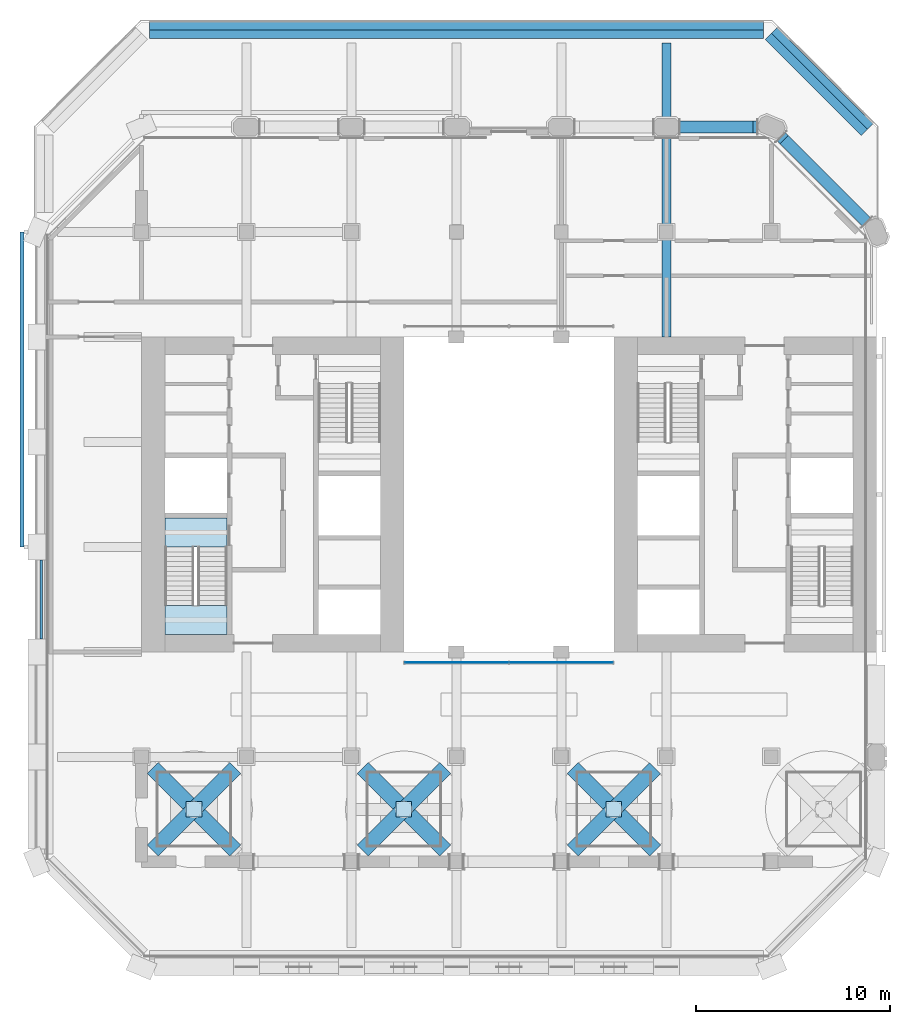
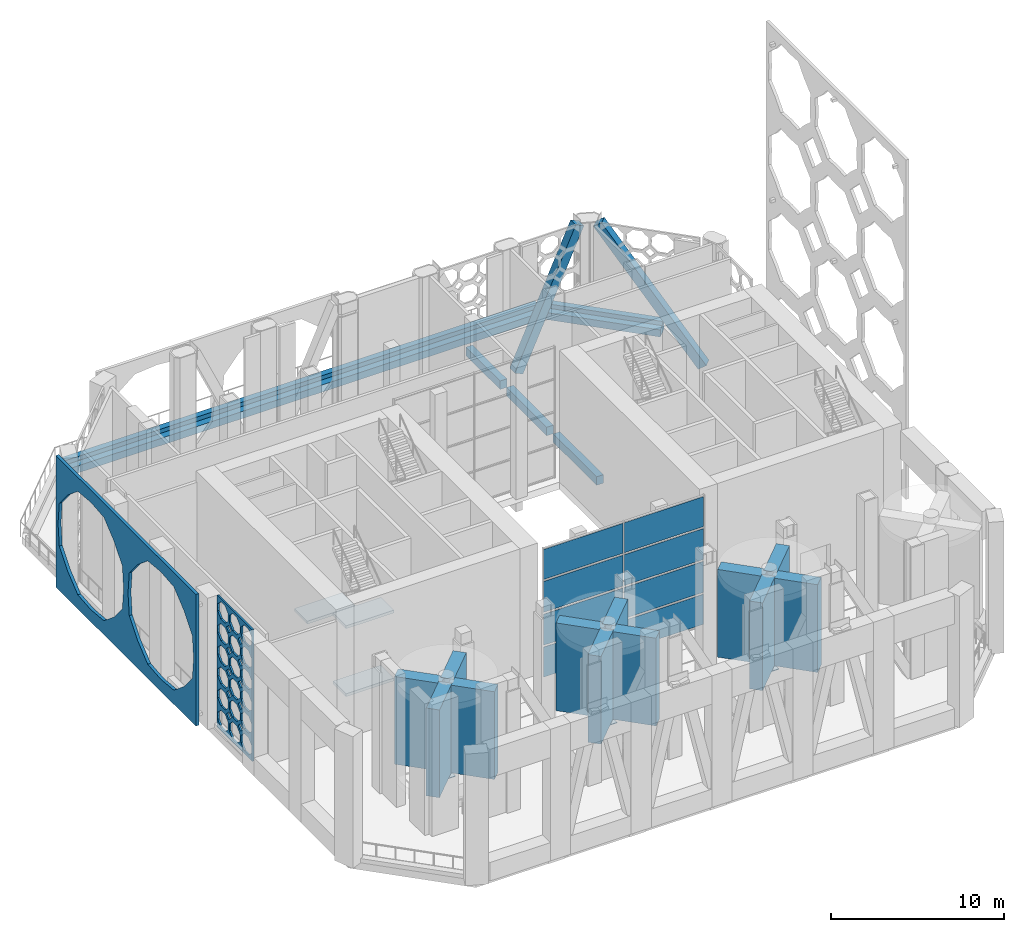
# One storey, part 5 of 28: 25 plates, 7 beams, 3 slabs, 2 members, 2 elements without a shape of their own.
"""IFC4 building model written with IfcOpenShell, lengths in metres."""

from ifc_helpers import new_model, si_unit, direction, frame, origin, origin_2d, place, context, subcontext, project, spatial, polyline, rectangle, outline, extrude, material, layer, layer_set, material_profile, profile_set, type_object, element, aggregate, save


model = new_model("IFC4")

# Units and contexts
model_context = context("Model", 3, precision=1e-05, world=origin(), true_north=direction((0.0, 1.0)))
body_context = subcontext(model_context, "Body", "Model", "MODEL_VIEW")
ifc_project = project(units=[si_unit("LENGTHUNIT", "METRE"), si_unit("AREAUNIT", "SQUARE_METRE"), si_unit("VOLUMEUNIT", "CUBIC_METRE"), si_unit("PLANEANGLEUNIT", "RADIAN"), si_unit("MASSUNIT", "GRAM", prefix="KILO")], contexts=[model_context])

# Site, building, storey
site_placement = place(None, origin())
site = spatial("IfcSite", under=ifc_project, at=site_placement, CompositionType="ELEMENT")
building_placement = place(site_placement, origin())
building = spatial("IfcBuilding", under=site, at=building_placement, Name="Tabaq Tower and Sports Hall", CompositionType="ELEMENT")
storey_placement = place(building_placement, frame((0.0, 0.0, 233.5)))
storey = spatial("IfcBuildingStorey", under=building, at=storey_placement, Name="L59", CompositionType="ELEMENT", Elevation=233.5)

# Beams
ifc_material_1 = material(Name="Concrete C40/50", Category="concrete")
ifc_material_profile_1 = material_profile(ifc_material_1, rectangle(XDim=0.449951171875, YDim=0.60009765625, at=origin_2d()), Name="CB 450x600")
ifc_profile_set_1 = profile_set([ifc_material_profile_1], Name="Concrete C40/50")
beam_type_1 = type_object("IfcBeamType", Name="PT CANTILEVER BEAM CB 450x600 C40/50", PredefinedType="BEAM", material=ifc_profile_set_1)
beam_1_placement = place(storey_placement, frame((32.39990234375, 47.52490234375, -0.800048828125), z_axis=(0.0, -1.0, 0.0), x_axis=(1.0, 0.0, 0.0)))
element("IfcBeam", 1, at=beam_1_placement, inside=storey, type_object=beam_type_1, Name="Cantilever Beam L59 N6 span 1", PredefinedType="BEAM", context=body_context, shape_type="SweptSolid", body=[
    extrude(rectangle(XDim=0.449951171875, YDim=0.60009765625, at=origin_2d()), origin(), (0.0, 0.0, 1.0), 3.949951171875),
])
beam_2_placement = place(storey_placement, frame((32.39990234375, 42.824951171875, -0.800048828125), z_axis=(0.0, -1.0, 0.0), x_axis=(1.0, 0.0, 0.0)))
element("IfcBeam", 2, at=beam_2_placement, inside=storey, type_object=beam_type_1, Name="Cantilever Beam L59 N6 span 2", PredefinedType="BEAM", context=body_context, shape_type="SweptSolid", body=[
    extrude(rectangle(XDim=0.449951171875, YDim=0.60009765625, at=origin_2d()), origin(), (0.0, 0.0, 1.0), 4.64990234375),
])
beam_3_placement = place(storey_placement, frame((32.39990234375, 37.425048828125, -0.800048828125), z_axis=(0.0, -1.0, 0.0), x_axis=(1.0, 0.0, 0.0)))
element("IfcBeam", 3, at=beam_3_placement, inside=storey, type_object=beam_type_1, Name="Cantilever Beam L59 N6 span 3", PredefinedType="BEAM", context=body_context, shape_type="SweptSolid", body=[
    extrude(rectangle(XDim=0.449951171875, YDim=0.60009765625, at=origin_2d()), origin(), (0.0, 0.0, 1.0), 5.025146484375),
])
ifc_material_2 = material(Name="Concrete C40/50", Category="concrete")
ifc_material_profile_2 = material_profile(ifc_material_2, rectangle(XDim=0.85009765625, YDim=0.5, at=origin_2d()), Name="EB 850x500")
ifc_profile_set_2 = profile_set([ifc_material_profile_2], Name="Concrete C40/50")
beam_type_2 = type_object("IfcBeamType", Name="PT EDGE BEAM EB 850x500 C40/50", PredefinedType="SPANDREL", material=ifc_profile_set_2)
beam_4_placement = place(storey_placement, frame((42.72265625, 43.076171875, -0.25), z_axis=(-0.707106781187, 0.707106781187, 0.0), x_axis=(-0.707106781187, -0.707106781187, 0.0)))
element("IfcBeam", 4, at=beam_4_placement, inside=storey, type_object=beam_type_2, Name="Edge Beam L59 5", PredefinedType="SPANDREL", context=body_context, shape_type="SweptSolid", body=[
    extrude(rectangle(XDim=0.85009765625, YDim=0.5, at=origin_2d()), origin(), (0.0, 0.0, 1.0), 6.98486328125),
])
beam_5_placement = place(storey_placement, frame((37.39794921875, 48.175048828125, -0.25), z_axis=(-1.0, 0.0, 0.0), x_axis=(0.0, -1.0, 0.0)))
element("IfcBeam", 5, at=beam_5_placement, inside=storey, type_object=beam_type_2, Name="Edge Beam L59 6", PredefinedType="SPANDREL", context=body_context, shape_type="SweptSolid", body=[
    extrude(rectangle(XDim=0.85009765625, YDim=0.5, at=origin_2d()), origin(), (0.0, 0.0, 1.0), 31.595947265625),
])
ifc_material_3 = material(Name="Concrete C40/50", Category="concrete")
ifc_material_profile_3 = material_profile(ifc_material_3, rectangle(XDim=0.39990234375, YDim=0.300048828125, at=origin_2d()), Name="EU 400x300")
ifc_profile_set_3 = profile_set([ifc_material_profile_3], Name="Concrete C40/50")
beam_type_3 = type_object("IfcBeamType", Name="PT EDGE UPSTAND EU 400x300 C40/50", PredefinedType="BEAM", material=ifc_profile_set_3)
beam_6_placement = place(storey_placement, frame((42.8818359375, 43.2353515625, 0.14990234375), z_axis=(-0.707106781187, 0.707106781187, 0.0), x_axis=(-0.707106781187, -0.707106781187, 0.0)))
element("IfcBeam", 6, at=beam_6_placement, inside=storey, type_object=beam_type_3, Name="Edge Upstand L59 5", PredefinedType="BEAM", context=body_context, shape_type="SweptSolid", body=[
    extrude(rectangle(XDim=0.39990234375, YDim=0.300048828125, at=origin_2d()), origin(), (0.0, 0.0, 1.0), 6.98486328125),
])
beam_7_placement = place(storey_placement, frame((37.39794921875, 48.39990234375, 0.14990234375), z_axis=(-1.0, 0.0, 0.0), x_axis=(0.0, -1.0, 0.0)))
element("IfcBeam", 7, at=beam_7_placement, inside=storey, type_object=beam_type_3, Name="Edge Upstand L59 6", PredefinedType="BEAM", context=body_context, shape_type="SweptSolid", body=[
    extrude(rectangle(XDim=0.39990234375, YDim=0.300048828125, at=origin_2d()), origin(), (0.0, 0.0, 1.0), 31.595947265625),
])

# Members
ifc_material_4 = material(Name="Concrete C40/50", Category="concrete")
ifc_material_profile_4 = material_profile(ifc_material_4, rectangle(XDim=0.60009765625, YDim=0.60009765625, at=origin_2d()), Name="BELT STRUT 600x600")
ifc_profile_set_4 = profile_set([ifc_material_profile_4], Name="Concrete C40/50")
member_type = type_object("IfcMemberType", Name="RC BELT TRUSS STRUT BELT STRUT 600x600 C40/50", PredefinedType="BRACE", material=ifc_profile_set_4)
member_1_placement = place(storey_placement, frame((42.719482421875, 38.280517578125, 0.172119140625), z_axis=(-0.405878613043, 0.405878613043, 0.818855972041), x_axis=(-0.707106781187, -0.707106781187, 0.0)))
element("IfcMember", 8, at=member_1_placement, inside=storey, type_object=member_type, Name="Belt Truss Strut L59 1", PredefinedType="BRACE", context=body_context, shape_type="SweptSolid", body=[
    extrude(rectangle(XDim=0.60009765625, YDim=0.60009765625, at=origin_2d()), origin(), (0.0, 0.0, 1.0), 10.936767578125),
])
member_2_placement = place(storey_placement, frame((33.044921875, 43.199951171875, 0.123046875), z_axis=(0.410471007119, 0.0, 0.911873649315), x_axis=(0.0, 1.0, 0.0)))
element("IfcMember", 9, at=member_2_placement, inside=storey, type_object=member_type, Name="Belt Truss Strut L59 2", PredefinedType="BRACE", context=body_context, shape_type="SweptSolid", body=[
    extrude(rectangle(XDim=0.60009765625, YDim=0.60009765625, at=origin_2d()), origin(), (0.0, 0.0, 1.0), 9.9287109375),
])

# Curtain wall, plates
ifc_material_5 = material(Name="Aluminium alloy 6063-T6 framed glazing", Category="aluminium")
curtain_wall_type = type_object("IfcCurtainWallType", Name="CW1 curtain wall", PredefinedType="USERDEFINED", material=ifc_material_5)
curtain_wall_placement = place(storey_placement, origin())
curtain_wall = element("IfcCurtainWall", 10, at=curtain_wall_placement, inside=storey, type_object=curtain_wall_type, Name="Atrium glazing L59 S", ObjectType="ATRIUM ENCLOSURE", PredefinedType="USERDEFINED")
ifc_material_6 = material(Name="Clear low-emissivity glass 28 mm", Category="glass")
ifc_layer_1 = layer(ifc_material_6, 0.028076171875)
ifc_layer_set_1 = layer_set([ifc_layer_1], Name="CW1 glass panel 28")
plate_type_1 = type_object("IfcPlateType", Name="CW1 glass panel 28", PredefinedType="CURTAIN_PANEL", material=ifc_layer_set_1)
plate_1_placement = place(storey_placement, frame((21.614990234375, 15.64990234375, 0.14013671875), z_axis=(0.0, 0.0, 1.0), x_axis=(1.0, 0.0, 0.0)))
plate_1 = element("IfcPlate", 11, at=plate_1_placement, type_object=plate_type_1, Name="CW1 panel 1.1", PredefinedType="CURTAIN_PANEL", context=body_context, shape_type="SweptSolid", body=[
    extrude(rectangle(XDim=5.31005859375, YDim=0.028076171875, at=origin_2d()), origin(), (0.0, 0.0, 1.0), 2.114990234375),
])
plate_2_placement = place(storey_placement, frame((21.614990234375, 15.64990234375, 2.39501953125), z_axis=(0.0, 0.0, 1.0), x_axis=(1.0, 0.0, 0.0)))
plate_2 = element("IfcPlate", 12, at=plate_2_placement, type_object=plate_type_1, Name="CW1 panel 1.2", PredefinedType="CURTAIN_PANEL", context=body_context, shape_type="SweptSolid", body=[
    extrude(rectangle(XDim=5.31005859375, YDim=0.028076171875, at=origin_2d()), origin(), (0.0, 0.0, 1.0), 2.18505859375),
])
plate_3_placement = place(storey_placement, frame((21.614990234375, 15.64990234375, 4.719970703125), z_axis=(0.0, 0.0, 1.0), x_axis=(1.0, 0.0, 0.0)))
plate_3 = element("IfcPlate", 13, at=plate_3_placement, type_object=plate_type_1, Name="CW1 panel 1.3", PredefinedType="CURTAIN_PANEL", context=body_context, shape_type="SweptSolid", body=[
    extrude(rectangle(XDim=5.31005859375, YDim=0.028076171875, at=origin_2d()), origin(), (0.0, 0.0, 1.0), 2.18505859375),
])
plate_4_placement = place(storey_placement, frame((21.614990234375, 15.64990234375, 7.044921875), z_axis=(0.0, 0.0, 1.0), x_axis=(1.0, 0.0, 0.0)))
plate_4 = element("IfcPlate", 14, at=plate_4_placement, type_object=plate_type_1, Name="CW1 panel 1.4", PredefinedType="CURTAIN_PANEL", context=body_context, shape_type="SweptSolid", body=[
    extrude(rectangle(XDim=5.31005859375, YDim=0.028076171875, at=origin_2d()), origin(), (0.0, 0.0, 1.0), 2.114990234375),
])
plate_5_placement = place(storey_placement, frame((26.985107421875, 15.64990234375, 0.14013671875), z_axis=(0.0, 0.0, 1.0), x_axis=(1.0, 0.0, 0.0)))
plate_5 = element("IfcPlate", 15, at=plate_5_placement, type_object=plate_type_1, Name="CW1 panel 2.1", PredefinedType="CURTAIN_PANEL", context=body_context, shape_type="SweptSolid", body=[
    extrude(rectangle(XDim=5.31005859375, YDim=0.028076171875, at=origin_2d()), origin(), (0.0, 0.0, 1.0), 2.114990234375),
])
plate_6_placement = place(storey_placement, frame((26.985107421875, 15.64990234375, 2.39501953125), z_axis=(0.0, 0.0, 1.0), x_axis=(1.0, 0.0, 0.0)))
plate_6 = element("IfcPlate", 16, at=plate_6_placement, type_object=plate_type_1, Name="CW1 panel 2.2", PredefinedType="CURTAIN_PANEL", context=body_context, shape_type="SweptSolid", body=[
    extrude(rectangle(XDim=5.31005859375, YDim=0.028076171875, at=origin_2d()), origin(), (0.0, 0.0, 1.0), 2.18505859375),
])
plate_7_placement = place(storey_placement, frame((26.985107421875, 15.64990234375, 4.719970703125), z_axis=(0.0, 0.0, 1.0), x_axis=(1.0, 0.0, 0.0)))
plate_7 = element("IfcPlate", 17, at=plate_7_placement, type_object=plate_type_1, Name="CW1 panel 2.3", PredefinedType="CURTAIN_PANEL", context=body_context, shape_type="SweptSolid", body=[
    extrude(rectangle(XDim=5.31005859375, YDim=0.028076171875, at=origin_2d()), origin(), (0.0, 0.0, 1.0), 2.18505859375),
])
plate_8_placement = place(storey_placement, frame((26.985107421875, 15.64990234375, 7.044921875), z_axis=(0.0, 0.0, 1.0), x_axis=(1.0, 0.0, 0.0)))
plate_8 = element("IfcPlate", 18, at=plate_8_placement, type_object=plate_type_1, Name="CW1 panel 2.4", PredefinedType="CURTAIN_PANEL", context=body_context, shape_type="SweptSolid", body=[
    extrude(rectangle(XDim=5.31005859375, YDim=0.028076171875, at=origin_2d()), origin(), (0.0, 0.0, 1.0), 2.114990234375),
])
aggregate(curtain_wall, [plate_1, plate_2, plate_3, plate_4, plate_5, plate_6, plate_7, plate_8])

# Stair, slabs
ifc_material_7 = material(Name="Concrete C40/50", Category="concrete")
stair_type = type_object("IfcStairType", Name="Exit stair", PredefinedType="HALF_TURN_STAIR", material=ifc_material_7)
stair_placement = place(storey_placement, origin())
stair = element("IfcStair", 19, at=stair_placement, inside=storey, type_object=stair_type, Name="L59 Exit stair ST1", PredefinedType="HALF_TURN_STAIR")
ifc_material_8 = material(Name="Concrete C40/50", Category="concrete")
ifc_layer_2 = layer(ifc_material_8, 0.199951171875)
ifc_layer_set_2 = layer_set([ifc_layer_2], Name="Exit stair landing")
slab_type = type_object("IfcSlabType", Name="Exit stair landing", PredefinedType="LANDING", material=ifc_layer_set_2)
slab_1_placement = place(storey_placement, frame((0.0, 0.0, 2.199951171875)))
slab_1 = element("IfcSlab", 20, at=slab_1_placement, type_object=slab_type, Name="ST1 landing 1", PredefinedType="LANDING", context=body_context, shape_type="SweptSolid", body=[
    extrude(outline(polyline([(6.60009765625, 18.60009765625), (6.60009765625, 17.10009765625), (9.800048828125, 17.10009765625), (9.800048828125, 18.60009765625), (6.60009765625, 18.60009765625)])), origin(), (0.0, 0.0, 1.0), 0.199951171875),
])
slab_2_placement = place(storey_placement, frame((0.0, 0.0, 4.60009765625)))
slab_2 = element("IfcSlab", 21, at=slab_2_placement, type_object=slab_type, Name="ST1 landing 2", PredefinedType="LANDING", context=body_context, shape_type="SweptSolid", body=[
    extrude(outline(polyline([(6.60009765625, 23.10009765625), (6.60009765625, 21.60009765625), (9.800048828125, 21.60009765625), (9.800048828125, 23.10009765625), (6.60009765625, 23.10009765625)])), origin(), (0.0, 0.0, 1.0), 0.199951171875),
])
slab_3_placement = place(storey_placement, frame((0.0, 0.0, 7.0)))
slab_3 = element("IfcSlab", 22, at=slab_3_placement, type_object=slab_type, Name="ST1 landing 3", PredefinedType="LANDING", context=body_context, shape_type="SweptSolid", body=[
    extrude(outline(polyline([(6.60009765625, 18.60009765625), (6.60009765625, 17.10009765625), (9.800048828125, 17.10009765625), (9.800048828125, 18.60009765625), (6.60009765625, 18.60009765625)])), origin(), (0.0, 0.0, 1.0), 0.199951171875),
])
aggregate(stair, [slab_1, slab_2, slab_3])

# Plates
ifc_material_9 = material(Name="Aluminium alloy 6063-T6 blade", Category="aluminium")
ifc_layer_3 = layer(ifc_material_9, 0.300048828125)
ifc_layer_set_3 = layer_set([ifc_layer_3], Name="Rotor blade plate 300")
plate_type_2 = type_object("IfcPlateType", Name="Rotor blade plate 300", PredefinedType="USERDEFINED", material=ifc_layer_set_3)
for number, where, z_axis, x_axis, name in (
    (23, (9.2314453125, 9.2314453125, 2.08984375), (0.0, 0.0, 1.0), (0.707106781187, 0.707106781187, 0.0), "Rotor blade 1.1"),
    (24, (6.96875, 9.2314453125, 2.08984375), (0.0, 0.0, 1.0), (-0.707106781187, 0.707106781187, 0.0), "Rotor blade 1.2"),
    (25, (6.96875, 6.96875, 2.08984375), (0.0, 0.0, 1.0), (-0.707106781187, -0.707106781187, 0.0), "Rotor blade 1.3"),
    (26, (9.2314453125, 6.96875, 2.08984375), (0.0, 0.0, 1.0), (0.707106781187, -0.707106781187, 0.0), "Rotor blade 1.4"),
    (27, (20.03125, 9.2314453125, 2.08984375), (0.0, 0.0, 1.0), (0.707106781187, 0.707106781187, 0.0), "Rotor blade 2.1"),
    (28, (17.7685546875, 9.2314453125, 2.08984375), (0.0, 0.0, 1.0), (-0.707106781187, 0.707106781187, 0.0), "Rotor blade 2.2"),
    (29, (17.7685546875, 6.96875, 2.08984375), (0.0, 0.0, 1.0), (-0.707106781187, -0.707106781187, 0.0), "Rotor blade 2.3"),
    (30, (20.03125, 6.96875, 2.08984375), (0.0, 0.0, 1.0), (0.707106781187, -0.707106781187, 0.0), "Rotor blade 2.4"),
    (31, (30.831298828125, 9.2314453125, 2.08984375), (0.0, 0.0, 1.0), (0.707106781187, 0.707106781187, 0.0), "Rotor blade 3.1"),
    (32, (28.568603515625, 9.2314453125, 2.08984375), (0.0, 0.0, 1.0), (-0.707106781187, 0.707106781187, 0.0), "Rotor blade 3.2"),
    (33, (28.568603515625, 6.96875, 2.08984375), (0.0, 0.0, 1.0), (-0.707106781187, -0.707106781187, 0.0), "Rotor blade 3.3"),
    (34, (30.831298828125, 6.96875, 2.08984375), (0.0, 0.0, 1.0), (0.707106781187, -0.707106781187, 0.0), "Rotor blade 3.4"),
):
    element("IfcPlate", number, at=place(storey_placement, frame(where, z_axis=z_axis, x_axis=x_axis)), inside=storey, type_object=plate_type_2, Name=name, ObjectType="ROTOR BLADE", PredefinedType="USERDEFINED", context=body_context, shape_type="SweptSolid", body=[
        extrude(rectangle(XDim=2.800048828125, YDim=0.800048828125, at=origin_2d()), origin(), (0.0, 0.0, 1.0), 6.199951171875),
    ])
ifc_material_10 = material(Name="Steel S355", Category="steel")
ifc_layer_4 = layer(ifc_material_10, 0.0400390625)
ifc_layer_set_4 = layer_set([ifc_layer_4], Name="STEEL BASE PLATE S355")
plate_type_3 = type_object("IfcPlateType", Name="STEEL BASE PLATE S355", PredefinedType="USERDEFINED", material=ifc_layer_set_4)
for number, where, z_axis, x_axis, name in (
    (35, (8.10009765625, 8.10009765625, 1.60009765625), (0.0, 0.0, 1.0), (1.0, 0.0, 0.0), "Wind Turbine 1 Mast Base Plate"),
    (36, (18.89990234375, 8.10009765625, 1.60009765625), (0.0, 0.0, 1.0), (1.0, 0.0, 0.0), "Wind Turbine 2 Mast Base Plate"),
    (37, (29.699951171875, 8.10009765625, 1.60009765625), (0.0, 0.0, 1.0), (1.0, 0.0, 0.0), "Wind Turbine 3 Mast Base Plate"),
):
    element("IfcPlate", number, at=place(storey_placement, frame(where, z_axis=z_axis, x_axis=x_axis)), inside=storey, type_object=plate_type_3, Name=name, ObjectType="BASE PLATE", PredefinedType="USERDEFINED", context=body_context, shape_type="SweptSolid", body=[
        extrude(rectangle(XDim=0.800048828125, YDim=0.800048828125, at=origin_2d()), origin(), (0.0, 0.0, 1.0), 0.0400390625),
    ])
ifc_material_11 = material(Name="White precast concrete C60/75 pierced screen", Category="concrete")
ifc_layer_5 = layer(ifc_material_11, 0.199951171875)
ifc_layer_set_5 = layer_set([ifc_layer_5], Name="White precast concrete C60/75 girih screen 200")
plate_type_4 = type_object("IfcPlateType", Name="White precast concrete C60/75 girih screen 200", PredefinedType="USERDEFINED", material=ifc_layer_set_5)
plate_9_placement = place(storey_placement, frame((-0.75, 37.800048828125, 0.0), z_axis=(0.0, 0.0, 1.0), x_axis=(0.0, -1.0, 0.0)))
element("IfcPlate", 38, at=plate_9_placement, inside=storey, type_object=plate_type_4, Name="Girih screen L59 W", ObjectType="SCREEN", PredefinedType="USERDEFINED", context=body_context, shape_type="SweptSolid", body=[
    extrude(outline(polyline([(0.0, 0.0), (16.199951171875, 0.0), (16.199951171875, 9.300048828125), (0.0, 9.300048828125), (0.0, 0.0)]), holes=[polyline([(7.701904296875, 6.16259765625), (6.733154296875, 7.333251953125), (5.562744140625, 8.302001953125), (4.050048828125, 8.444580078125), (2.537353515625, 8.302001953125), (1.36669921875, 7.333251953125), (0.398193359375, 6.16259765625), (0.25537109375, 4.64990234375), (0.398193359375, 3.13720703125), (1.36669921875, 1.966796875), (2.537353515625, 0.998046875), (4.050048828125, 0.855224609375), (5.562744140625, 0.998046875), (6.733154296875, 1.966796875), (7.701904296875, 3.13720703125), (7.8447265625, 4.64990234375), (7.701904296875, 6.16259765625)]), polyline([(15.802001953125, 6.16259765625), (14.833251953125, 7.333251953125), (13.66259765625, 8.302001953125), (12.14990234375, 8.444580078125), (10.63720703125, 8.302001953125), (9.466796875, 7.333251953125), (8.498046875, 6.16259765625), (8.355224609375, 4.64990234375), (8.498046875, 3.13720703125), (9.466796875, 1.966796875), (10.63720703125, 0.998046875), (12.14990234375, 0.855224609375), (13.66259765625, 0.998046875), (14.833251953125, 1.966796875), (15.802001953125, 3.13720703125), (15.944580078125, 4.64990234375), (15.802001953125, 6.16259765625)])]), frame((0.0, 0.10009765625, 0.0), z_axis=(0.0, -1.0, 0.0), x_axis=(1.0, 0.0, 0.0)), (0.0, 0.0, 1.0), 0.199951171875),
])
ifc_material_12 = material(Name="White precast concrete C60/75 pierced screen", Category="concrete")
ifc_layer_6 = layer(ifc_material_12, 0.1201171875)
ifc_layer_set_6 = layer_set([ifc_layer_6], Name="White precast concrete C60/75 screen 120")
plate_type_5 = type_object("IfcPlateType", Name="White precast concrete C60/75 screen 120", PredefinedType="USERDEFINED", material=ifc_layer_set_6)
plate_10_placement = place(storey_placement, frame((0.25, 20.925048828125, 0.0), z_axis=(0.0, 0.0, 1.0), x_axis=(0.0, -1.0, 0.0)))
element("IfcPlate", 39, at=plate_10_placement, inside=storey, type_object=plate_type_5, Name="Pierced screen L59 W", ObjectType="SCREEN", PredefinedType="USERDEFINED", context=body_context, shape_type="SweptSolid", body=[
    extrude(outline(polyline([(0.0, 0.0), (4.050048828125, 0.0), (4.050048828125, 9.300048828125), (0.0, 9.300048828125), (0.0, 0.0)]), holes=[polyline([(1.28369140625, 1.06884765625), (1.103515625, 1.245361328125), (0.927001953125, 1.42529296875), (0.675048828125, 1.4228515625), (0.4228515625, 1.42529296875), (0.246337890625, 1.245361328125), (0.06640625, 1.06884765625), (0.06884765625, 0.816650390625), (0.06640625, 0.564453125), (0.246337890625, 0.38818359375), (0.4228515625, 0.2080078125), (0.675048828125, 0.21044921875), (0.927001953125, 0.2080078125), (1.103515625, 0.38818359375), (1.28369140625, 0.564453125), (1.281005859375, 0.816650390625), (1.28369140625, 1.06884765625)]), polyline([(1.28369140625, 2.60205078125), (1.103515625, 2.778564453125), (0.927001953125, 2.958740234375), (0.675048828125, 2.9560546875), (0.4228515625, 2.958740234375), (0.246337890625, 2.778564453125), (0.06640625, 2.60205078125), (0.06884765625, 2.35009765625), (0.06640625, 2.097900390625), (0.246337890625, 1.92138671875), (0.4228515625, 1.741455078125), (0.675048828125, 1.743896484375), (0.927001953125, 1.741455078125), (1.103515625, 1.92138671875), (1.28369140625, 2.097900390625), (1.281005859375, 2.35009765625), (1.28369140625, 2.60205078125)]), polyline([(1.28369140625, 4.135498046875), (1.103515625, 4.31201171875), (0.927001953125, 4.491943359375), (0.675048828125, 4.489501953125), (0.4228515625, 4.491943359375), (0.246337890625, 4.31201171875), (0.06640625, 4.135498046875), (0.06884765625, 3.88330078125), (0.06640625, 3.631103515625), (0.246337890625, 3.454833984375), (0.4228515625, 3.274658203125), (0.675048828125, 3.27734375), (0.927001953125, 3.274658203125), (1.103515625, 3.454833984375), (1.28369140625, 3.631103515625), (1.281005859375, 3.88330078125), (1.28369140625, 4.135498046875)]), polyline([(1.28369140625, 5.668701171875), (1.103515625, 5.84521484375), (0.927001953125, 6.025390625), (0.675048828125, 6.022705078125), (0.4228515625, 6.025390625), (0.246337890625, 5.84521484375), (0.06640625, 5.668701171875), (0.06884765625, 5.416748046875), (0.06640625, 5.16455078125), (0.246337890625, 4.988037109375), (0.4228515625, 4.80810546875), (0.675048828125, 4.810546875), (0.927001953125, 4.80810546875), (1.103515625, 4.988037109375), (1.28369140625, 5.16455078125), (1.281005859375, 5.416748046875), (1.28369140625, 5.668701171875)]), polyline([(1.28369140625, 7.2021484375), (1.103515625, 7.378662109375), (0.927001953125, 7.55859375), (0.675048828125, 7.55615234375), (0.4228515625, 7.55859375), (0.246337890625, 7.378662109375), (0.06640625, 7.2021484375), (0.06884765625, 6.949951171875), (0.06640625, 6.697998046875), (0.246337890625, 6.521484375), (0.4228515625, 6.34130859375), (0.675048828125, 6.343994140625), (0.927001953125, 6.34130859375), (1.103515625, 6.521484375), (1.28369140625, 6.697998046875), (1.281005859375, 6.949951171875), (1.28369140625, 7.2021484375)]), polyline([(1.28369140625, 8.7353515625), (1.103515625, 8.911865234375), (0.927001953125, 9.092041015625), (0.675048828125, 9.08935546875), (0.4228515625, 9.092041015625), (0.246337890625, 8.911865234375), (0.06640625, 8.7353515625), (0.06884765625, 8.4833984375), (0.06640625, 8.231201171875), (0.246337890625, 8.0546875), (0.4228515625, 7.874755859375), (0.675048828125, 7.877197265625), (0.927001953125, 7.874755859375), (1.103515625, 8.0546875), (1.28369140625, 8.231201171875), (1.281005859375, 8.4833984375), (1.28369140625, 8.7353515625)]), polyline([(2.633544921875, 1.06884765625), (2.45361328125, 1.245361328125), (2.277099609375, 1.42529296875), (2.02490234375, 1.4228515625), (1.77294921875, 1.42529296875), (1.596435546875, 1.245361328125), (1.416259765625, 1.06884765625), (1.4189453125, 0.816650390625), (1.416259765625, 0.564453125), (1.596435546875, 0.38818359375), (1.77294921875, 0.2080078125), (2.02490234375, 0.21044921875), (2.277099609375, 0.2080078125), (2.45361328125, 0.38818359375), (2.633544921875, 0.564453125), (2.631103515625, 0.816650390625), (2.633544921875, 1.06884765625)]), polyline([(2.633544921875, 2.60205078125), (2.45361328125, 2.778564453125), (2.277099609375, 2.958740234375), (2.02490234375, 2.9560546875), (1.77294921875, 2.958740234375), (1.596435546875, 2.778564453125), (1.416259765625, 2.60205078125), (1.4189453125, 2.35009765625), (1.416259765625, 2.097900390625), (1.596435546875, 1.92138671875), (1.77294921875, 1.741455078125), (2.02490234375, 1.743896484375), (2.277099609375, 1.741455078125), (2.45361328125, 1.92138671875), (2.633544921875, 2.097900390625), (2.631103515625, 2.35009765625), (2.633544921875, 2.60205078125)]), polyline([(2.633544921875, 4.135498046875), (2.45361328125, 4.31201171875), (2.277099609375, 4.491943359375), (2.02490234375, 4.489501953125), (1.77294921875, 4.491943359375), (1.596435546875, 4.31201171875), (1.416259765625, 4.135498046875), (1.4189453125, 3.88330078125), (1.416259765625, 3.631103515625), (1.596435546875, 3.454833984375), (1.77294921875, 3.274658203125), (2.02490234375, 3.27734375), (2.277099609375, 3.274658203125), (2.45361328125, 3.454833984375), (2.633544921875, 3.631103515625), (2.631103515625, 3.88330078125), (2.633544921875, 4.135498046875)]), polyline([(2.633544921875, 5.668701171875), (2.45361328125, 5.84521484375), (2.277099609375, 6.025390625), (2.02490234375, 6.022705078125), (1.77294921875, 6.025390625), (1.596435546875, 5.84521484375), (1.416259765625, 5.668701171875), (1.4189453125, 5.416748046875), (1.416259765625, 5.16455078125), (1.596435546875, 4.988037109375), (1.77294921875, 4.80810546875), (2.02490234375, 4.810546875), (2.277099609375, 4.80810546875), (2.45361328125, 4.988037109375), (2.633544921875, 5.16455078125), (2.631103515625, 5.416748046875), (2.633544921875, 5.668701171875)]), polyline([(2.633544921875, 7.2021484375), (2.45361328125, 7.378662109375), (2.277099609375, 7.55859375), (2.02490234375, 7.55615234375), (1.77294921875, 7.55859375), (1.596435546875, 7.378662109375), (1.416259765625, 7.2021484375), (1.4189453125, 6.949951171875), (1.416259765625, 6.697998046875), (1.596435546875, 6.521484375), (1.77294921875, 6.34130859375), (2.02490234375, 6.343994140625), (2.277099609375, 6.34130859375), (2.45361328125, 6.521484375), (2.633544921875, 6.697998046875), (2.631103515625, 6.949951171875), (2.633544921875, 7.2021484375)]), polyline([(2.633544921875, 8.7353515625), (2.45361328125, 8.911865234375), (2.277099609375, 9.092041015625), (2.02490234375, 9.08935546875), (1.77294921875, 9.092041015625), (1.596435546875, 8.911865234375), (1.416259765625, 8.7353515625), (1.4189453125, 8.4833984375), (1.416259765625, 8.231201171875), (1.596435546875, 8.0546875), (1.77294921875, 7.874755859375), (2.02490234375, 7.877197265625), (2.277099609375, 7.874755859375), (2.45361328125, 8.0546875), (2.633544921875, 8.231201171875), (2.631103515625, 8.4833984375), (2.633544921875, 8.7353515625)]), polyline([(3.983642578125, 1.06884765625), (3.803466796875, 1.245361328125), (3.627197265625, 1.42529296875), (3.375, 1.4228515625), (3.122802734375, 1.42529296875), (2.946533203125, 1.245361328125), (2.766357421875, 1.06884765625), (2.768798828125, 0.816650390625), (2.766357421875, 0.564453125), (2.946533203125, 0.38818359375), (3.122802734375, 0.2080078125), (3.375, 0.21044921875), (3.627197265625, 0.2080078125), (3.803466796875, 0.38818359375), (3.983642578125, 0.564453125), (3.981201171875, 0.816650390625), (3.983642578125, 1.06884765625)]), polyline([(3.983642578125, 2.60205078125), (3.803466796875, 2.778564453125), (3.627197265625, 2.958740234375), (3.375, 2.9560546875), (3.122802734375, 2.958740234375), (2.946533203125, 2.778564453125), (2.766357421875, 2.60205078125), (2.768798828125, 2.35009765625), (2.766357421875, 2.097900390625), (2.946533203125, 1.92138671875), (3.122802734375, 1.741455078125), (3.375, 1.743896484375), (3.627197265625, 1.741455078125), (3.803466796875, 1.92138671875), (3.983642578125, 2.097900390625), (3.981201171875, 2.35009765625), (3.983642578125, 2.60205078125)]), polyline([(3.983642578125, 4.135498046875), (3.803466796875, 4.31201171875), (3.627197265625, 4.491943359375), (3.375, 4.489501953125), (3.122802734375, 4.491943359375), (2.946533203125, 4.31201171875), (2.766357421875, 4.135498046875), (2.768798828125, 3.88330078125), (2.766357421875, 3.631103515625), (2.946533203125, 3.454833984375), (3.122802734375, 3.274658203125), (3.375, 3.27734375), (3.627197265625, 3.274658203125), (3.803466796875, 3.454833984375), (3.983642578125, 3.631103515625), (3.981201171875, 3.88330078125), (3.983642578125, 4.135498046875)]), polyline([(3.983642578125, 5.668701171875), (3.803466796875, 5.84521484375), (3.627197265625, 6.025390625), (3.375, 6.022705078125), (3.122802734375, 6.025390625), (2.946533203125, 5.84521484375), (2.766357421875, 5.668701171875), (2.768798828125, 5.416748046875), (2.766357421875, 5.16455078125), (2.946533203125, 4.988037109375), (3.122802734375, 4.80810546875), (3.375, 4.810546875), (3.627197265625, 4.80810546875), (3.803466796875, 4.988037109375), (3.983642578125, 5.16455078125), (3.981201171875, 5.416748046875), (3.983642578125, 5.668701171875)]), polyline([(3.983642578125, 7.2021484375), (3.803466796875, 7.378662109375), (3.627197265625, 7.55859375), (3.375, 7.55615234375), (3.122802734375, 7.55859375), (2.946533203125, 7.378662109375), (2.766357421875, 7.2021484375), (2.768798828125, 6.949951171875), (2.766357421875, 6.697998046875), (2.946533203125, 6.521484375), (3.122802734375, 6.34130859375), (3.375, 6.343994140625), (3.627197265625, 6.34130859375), (3.803466796875, 6.521484375), (3.983642578125, 6.697998046875), (3.981201171875, 6.949951171875), (3.983642578125, 7.2021484375)]), polyline([(3.983642578125, 8.7353515625), (3.803466796875, 8.911865234375), (3.627197265625, 9.092041015625), (3.375, 9.08935546875), (3.122802734375, 9.092041015625), (2.946533203125, 8.911865234375), (2.766357421875, 8.7353515625), (2.768798828125, 8.4833984375), (2.766357421875, 8.231201171875), (2.946533203125, 8.0546875), (3.122802734375, 7.874755859375), (3.375, 7.877197265625), (3.627197265625, 7.874755859375), (3.803466796875, 8.0546875), (3.983642578125, 8.231201171875), (3.981201171875, 8.4833984375), (3.983642578125, 8.7353515625)]), polyline([(1.6201171875, 1.583251953125), (1.35009765625, 1.853271484375), (1.080078125, 1.583251953125), (1.35009765625, 1.313232421875), (1.6201171875, 1.583251953125)]), polyline([(1.6201171875, 3.11669921875), (1.35009765625, 3.38671875), (1.080078125, 3.11669921875), (1.35009765625, 2.8466796875), (1.6201171875, 3.11669921875)]), polyline([(1.6201171875, 4.64990234375), (1.35009765625, 4.919921875), (1.080078125, 4.64990234375), (1.35009765625, 4.3798828125), (1.6201171875, 4.64990234375)]), polyline([(1.6201171875, 6.183349609375), (1.35009765625, 6.453369140625), (1.080078125, 6.183349609375), (1.35009765625, 5.913330078125), (1.6201171875, 6.183349609375)]), polyline([(1.6201171875, 7.716552734375), (1.35009765625, 7.986572265625), (1.080078125, 7.716552734375), (1.35009765625, 7.44677734375), (1.6201171875, 7.716552734375)]), polyline([(2.969970703125, 1.583251953125), (2.699951171875, 1.853271484375), (2.429931640625, 1.583251953125), (2.699951171875, 1.313232421875), (2.969970703125, 1.583251953125)]), polyline([(2.969970703125, 3.11669921875), (2.699951171875, 3.38671875), (2.429931640625, 3.11669921875), (2.699951171875, 2.8466796875), (2.969970703125, 3.11669921875)]), polyline([(2.969970703125, 4.64990234375), (2.699951171875, 4.919921875), (2.429931640625, 4.64990234375), (2.699951171875, 4.3798828125), (2.969970703125, 4.64990234375)]), polyline([(2.969970703125, 6.183349609375), (2.699951171875, 6.453369140625), (2.429931640625, 6.183349609375), (2.699951171875, 5.913330078125), (2.969970703125, 6.183349609375)]), polyline([(2.969970703125, 7.716552734375), (2.699951171875, 7.986572265625), (2.429931640625, 7.716552734375), (2.699951171875, 7.44677734375), (2.969970703125, 7.716552734375)])]), frame((0.0, 0.06005859375, 0.0), z_axis=(0.0, -1.0, 0.0), x_axis=(1.0, 0.0, 0.0)), (0.0, 0.0, 1.0), 0.1201171875),
])

save(model, "model.ifc")
